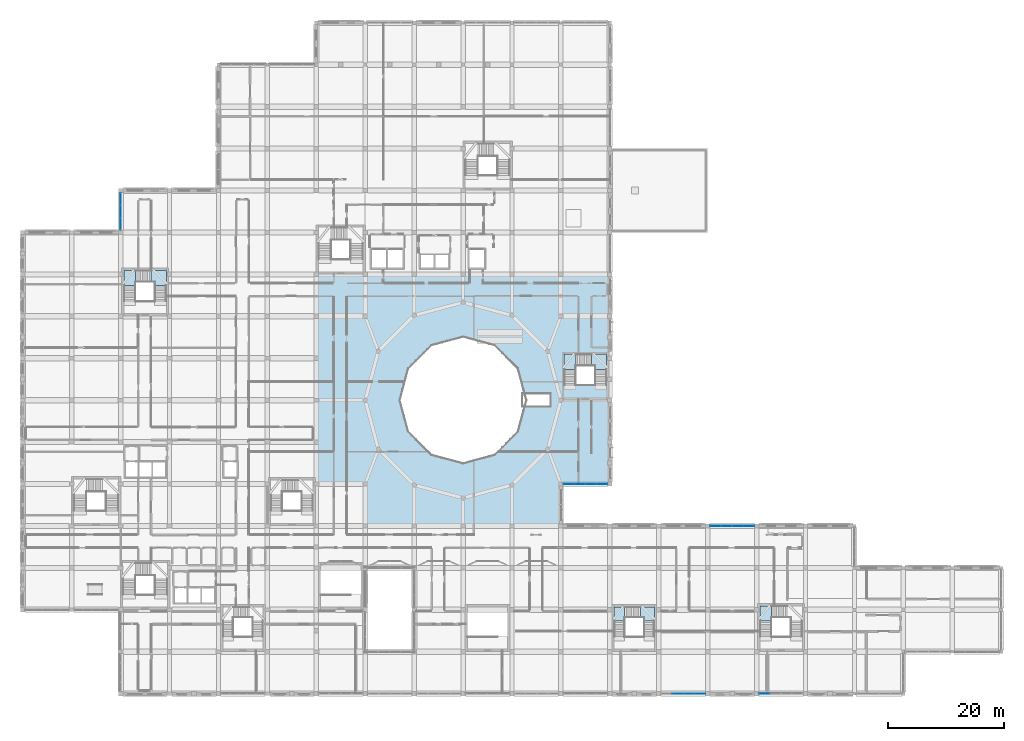
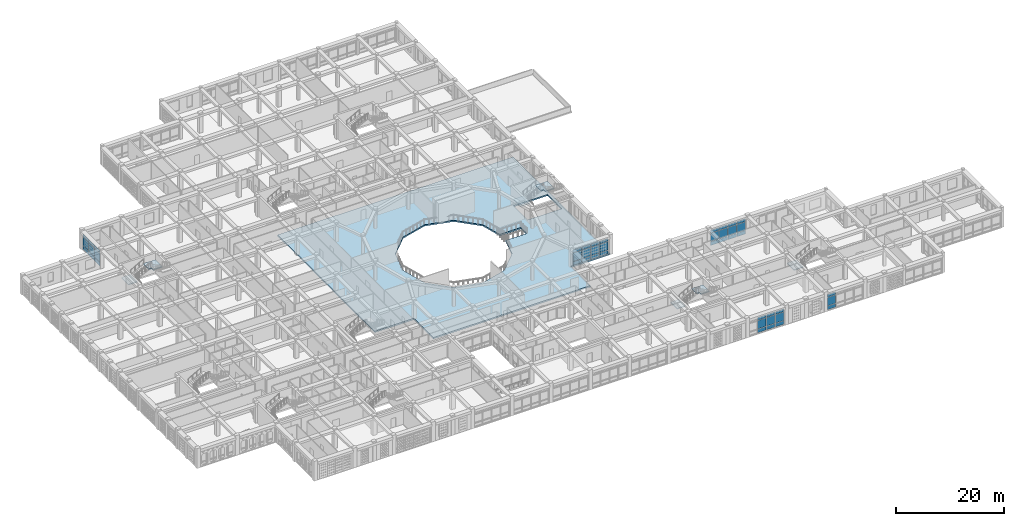
# One storey, part 66 of 121: 45 plates, 8 slabs, 9 elements without a shape of their own.
"""IFC4 building model written with IfcOpenShell, lengths in metres."""

from ifc_helpers import new_model, si_unit, derived_unit, direction, frame, origin, origin_2d, place, context, subcontext, project, spatial, polyline, rectangle, outline, extrude, material, layer, layer_set, type_object, element, aggregate, save


model = new_model("IFC4")

# Units and contexts
model_context = context("Model", 3, precision=1e-05, world=origin(), true_north=direction((0.0, 1.0)))
body_context = subcontext(model_context, "Body", "Model", "MODEL_VIEW")
ifc_project = project(units=[si_unit("LENGTHUNIT", "METRE"), si_unit("AREAUNIT", "SQUARE_METRE"), si_unit("VOLUMEUNIT", "CUBIC_METRE"), si_unit("PLANEANGLEUNIT", "RADIAN"), si_unit("MASSUNIT", "GRAM", prefix="KILO"), derived_unit("THERMALTRANSMITTANCEUNIT", [(si_unit("POWERUNIT", "WATT"), 1), (si_unit("LENGTHUNIT", "METRE"), -2), (si_unit("THERMODYNAMICTEMPERATUREUNIT", "KELVIN"), -1)])], contexts=[model_context])

# Site, building, storey
site_placement = place(None, origin())
site = spatial("IfcSite", under=ifc_project, at=site_placement, CompositionType="ELEMENT")
building_placement = place(site_placement, origin())
building = spatial("IfcBuilding", under=site, at=building_placement, Name="Veybourne Emporium", CompositionType="ELEMENT")
storey_placement = place(building_placement, frame((0.0, 0.0, 5.39990234375)))
storey = spatial("IfcBuildingStorey", under=building, at=storey_placement, Name="L01", CompositionType="ELEMENT", Elevation=5.39990234375)

# Curtain wall, plates
ifc_material_1 = material(Name="Patinated Architectural Bronze", Category="bronze")
curtain_wall_type_1 = type_object("IfcCurtainWallType", Name="CWSystem_CWS-02", PredefinedType="NOTDEFINED", material=ifc_material_1)
curtain_wall_1_placement = place(storey_placement, origin())
curtain_wall_1 = element("IfcCurtainWall", 1, at=curtain_wall_1_placement, inside=storey, type_object=curtain_wall_type_1, Name="L01 bronze glazed curtain wall CWS-02 (018)", PredefinedType="NOTDEFINED")
ifc_material_2 = material(Name="Low-E Triple Glazing", Category="glass")
ifc_layer_1 = layer(ifc_material_2, 0.028076171875)
ifc_layer_set_1 = layer_set([ifc_layer_1], Name="Low-E Triple Glazing")
plate_type = type_object("IfcPlateType", Name="CWPanel_CW-P1", PredefinedType="CURTAIN_PANEL", material=ifc_layer_set_1)
plate_1_placement = place(storey_placement, frame((16.800048828125, 80.668701171875, 0.074951171875), z_axis=(0.0, 0.0, 1.0), x_axis=(0.0, 1.0, 0.0)))
plate_1 = element("IfcPlate", 2, at=plate_1_placement, type_object=plate_type, Name="CWS-02 panel 1.1", PredefinedType="CURTAIN_PANEL", context=body_context, shape_type="SweptSolid", body=[
    extrude(rectangle(XDim=2.03759765625, YDim=0.028076171875, at=origin_2d()), origin(), (0.0, 0.0, 1.0), 0.78759765625),
])
plate_2_placement = place(storey_placement, frame((16.800048828125, 80.668701171875, 0.9375), z_axis=(0.0, 0.0, 1.0), x_axis=(0.0, 1.0, 0.0)))
plate_2 = element("IfcPlate", 3, at=plate_2_placement, type_object=plate_type, Name="CWS-02 panel 1.2", PredefinedType="CURTAIN_PANEL", context=body_context, shape_type="SweptSolid", body=[
    extrude(rectangle(XDim=2.03759765625, YDim=0.028076171875, at=origin_2d()), origin(), (0.0, 0.0, 1.0), 1.905029296875),
])
plate_3_placement = place(storey_placement, frame((16.800048828125, 80.668701171875, 2.91748046875), z_axis=(0.0, 0.0, 1.0), x_axis=(0.0, 1.0, 0.0)))
plate_3 = element("IfcPlate", 4, at=plate_3_placement, type_object=plate_type, Name="CWS-02 panel 1.3", PredefinedType="CURTAIN_PANEL", context=body_context, shape_type="SweptSolid", body=[
    extrude(rectangle(XDim=2.03759765625, YDim=0.028076171875, at=origin_2d()), origin(), (0.0, 0.0, 1.0), 0.637451171875),
])
plate_4_placement = place(storey_placement, frame((16.800048828125, 82.800048828125, 0.074951171875), z_axis=(0.0, 0.0, 1.0), x_axis=(0.0, 1.0, 0.0)))
plate_4 = element("IfcPlate", 5, at=plate_4_placement, type_object=plate_type, Name="CWS-02 panel 2.1", PredefinedType="CURTAIN_PANEL", context=body_context, shape_type="SweptSolid", body=[
    extrude(rectangle(XDim=2.074951171875, YDim=0.028076171875, at=origin_2d()), origin(), (0.0, 0.0, 1.0), 0.78759765625),
])
plate_5_placement = place(storey_placement, frame((16.800048828125, 82.800048828125, 0.9375), z_axis=(0.0, 0.0, 1.0), x_axis=(0.0, 1.0, 0.0)))
plate_5 = element("IfcPlate", 6, at=plate_5_placement, type_object=plate_type, Name="CWS-02 panel 2.2", PredefinedType="CURTAIN_PANEL", context=body_context, shape_type="SweptSolid", body=[
    extrude(rectangle(XDim=2.074951171875, YDim=0.028076171875, at=origin_2d()), origin(), (0.0, 0.0, 1.0), 1.905029296875),
])
plate_6_placement = place(storey_placement, frame((16.800048828125, 82.800048828125, 2.91748046875), z_axis=(0.0, 0.0, 1.0), x_axis=(0.0, 1.0, 0.0)))
plate_6 = element("IfcPlate", 7, at=plate_6_placement, type_object=plate_type, Name="CWS-02 panel 2.3", PredefinedType="CURTAIN_PANEL", context=body_context, shape_type="SweptSolid", body=[
    extrude(rectangle(XDim=2.074951171875, YDim=0.028076171875, at=origin_2d()), origin(), (0.0, 0.0, 1.0), 0.637451171875),
])
plate_7_placement = place(storey_placement, frame((16.800048828125, 84.93115234375, 0.074951171875), z_axis=(0.0, 0.0, 1.0), x_axis=(0.0, 1.0, 0.0)))
plate_7 = element("IfcPlate", 8, at=plate_7_placement, type_object=plate_type, Name="CWS-02 panel 3.1", PredefinedType="CURTAIN_PANEL", context=body_context, shape_type="SweptSolid", body=[
    extrude(rectangle(XDim=2.03759765625, YDim=0.028076171875, at=origin_2d()), origin(), (0.0, 0.0, 1.0), 0.78759765625),
])
plate_8_placement = place(storey_placement, frame((16.800048828125, 84.93115234375, 0.9375), z_axis=(0.0, 0.0, 1.0), x_axis=(0.0, 1.0, 0.0)))
plate_8 = element("IfcPlate", 9, at=plate_8_placement, type_object=plate_type, Name="CWS-02 panel 3.2", PredefinedType="CURTAIN_PANEL", context=body_context, shape_type="SweptSolid", body=[
    extrude(rectangle(XDim=2.03759765625, YDim=0.028076171875, at=origin_2d()), origin(), (0.0, 0.0, 1.0), 1.905029296875),
])
plate_9_placement = place(storey_placement, frame((16.800048828125, 84.93115234375, 2.91748046875), z_axis=(0.0, 0.0, 1.0), x_axis=(0.0, 1.0, 0.0)))
plate_9 = element("IfcPlate", 10, at=plate_9_placement, type_object=plate_type, Name="CWS-02 panel 3.3", PredefinedType="CURTAIN_PANEL", context=body_context, shape_type="SweptSolid", body=[
    extrude(rectangle(XDim=2.03759765625, YDim=0.028076171875, at=origin_2d()), origin(), (0.0, 0.0, 1.0), 0.637451171875),
])
aggregate(curtain_wall_1, [plate_1, plate_2, plate_3, plate_4, plate_5, plate_6, plate_7, plate_8, plate_9])

curtain_wall_type_2 = type_object("IfcCurtainWallType", Name="CWSystem_CWS-20", PredefinedType="NOTDEFINED", material=ifc_material_1)
curtain_wall_2_placement = place(storey_placement, origin())
curtain_wall_2 = element("IfcCurtainWall", 11, at=curtain_wall_2_placement, inside=storey, type_object=curtain_wall_type_2, Name="L01 bronze glazed curtain wall CWS-20 (048)", PredefinedType="NOTDEFINED")
plate_10_placement = place(storey_placement, frame((99.451171875, 36.0, 0.070068359375), z_axis=(0.0, 0.0, 1.0), x_axis=(-1.0, 0.0, 0.0)))
plate_10 = element("IfcPlate", 12, at=plate_10_placement, type_object=plate_type, Name="CWS-20 panel 1.1", PredefinedType="CURTAIN_PANEL", context=body_context, shape_type="SweptSolid", body=[
    extrude(rectangle(XDim=1.8076171875, YDim=0.028076171875, at=origin_2d()), origin(), (0.0, 0.0, 1.0), 0.794921875),
])
plate_11_placement = place(storey_placement, frame((99.451171875, 36.0, 0.93505859375), z_axis=(0.0, 0.0, 1.0), x_axis=(-1.0, 0.0, 0.0)))
plate_11 = element("IfcPlate", 13, at=plate_11_placement, type_object=plate_type, Name="CWS-20 panel 1.2", PredefinedType="CURTAIN_PANEL", context=body_context, shape_type="SweptSolid", body=[
    extrude(rectangle(XDim=1.8076171875, YDim=0.028076171875, at=origin_2d()), origin(), (0.0, 0.0, 1.0), 1.909912109375),
])
plate_12_placement = place(storey_placement, frame((99.451171875, 36.0, 2.9150390625), z_axis=(0.0, 0.0, 1.0), x_axis=(-1.0, 0.0, 0.0)))
plate_12 = element("IfcPlate", 14, at=plate_12_placement, type_object=plate_type, Name="CWS-20 panel 1.3", PredefinedType="CURTAIN_PANEL", context=body_context, shape_type="SweptSolid", body=[
    extrude(rectangle(XDim=1.8076171875, YDim=0.028076171875, at=origin_2d()), origin(), (0.0, 0.0, 1.0), 0.64501953125),
])
plate_13_placement = place(storey_placement, frame((97.55615234375, 36.0, 0.070068359375), z_axis=(0.0, 0.0, 1.0), x_axis=(-1.0, 0.0, 0.0)))
plate_13 = element("IfcPlate", 15, at=plate_13_placement, type_object=plate_type, Name="CWS-20 panel 2.1", PredefinedType="CURTAIN_PANEL", context=body_context, shape_type="SweptSolid", body=[
    extrude(rectangle(XDim=1.842529296875, YDim=0.028076171875, at=origin_2d()), origin(), (0.0, 0.0, 1.0), 0.794921875),
])
plate_14_placement = place(storey_placement, frame((97.55615234375, 36.0, 0.93505859375), z_axis=(0.0, 0.0, 1.0), x_axis=(-1.0, 0.0, 0.0)))
plate_14 = element("IfcPlate", 16, at=plate_14_placement, type_object=plate_type, Name="CWS-20 panel 2.2", PredefinedType="CURTAIN_PANEL", context=body_context, shape_type="SweptSolid", body=[
    extrude(rectangle(XDim=1.842529296875, YDim=0.028076171875, at=origin_2d()), origin(), (0.0, 0.0, 1.0), 1.909912109375),
])
plate_15_placement = place(storey_placement, frame((97.55615234375, 36.0, 2.9150390625), z_axis=(0.0, 0.0, 1.0), x_axis=(-1.0, 0.0, 0.0)))
plate_15 = element("IfcPlate", 17, at=plate_15_placement, type_object=plate_type, Name="CWS-20 panel 2.3", PredefinedType="CURTAIN_PANEL", context=body_context, shape_type="SweptSolid", body=[
    extrude(rectangle(XDim=1.842529296875, YDim=0.028076171875, at=origin_2d()), origin(), (0.0, 0.0, 1.0), 0.64501953125),
])
plate_16_placement = place(storey_placement, frame((95.643798828125, 36.0, 0.070068359375), z_axis=(0.0, 0.0, 1.0), x_axis=(-1.0, 0.0, 0.0)))
plate_16 = element("IfcPlate", 18, at=plate_16_placement, type_object=plate_type, Name="CWS-20 panel 3.1", PredefinedType="CURTAIN_PANEL", context=body_context, shape_type="SweptSolid", body=[
    extrude(rectangle(XDim=1.842529296875, YDim=0.028076171875, at=origin_2d()), origin(), (0.0, 0.0, 1.0), 0.794921875),
])
plate_17_placement = place(storey_placement, frame((95.643798828125, 36.0, 0.93505859375), z_axis=(0.0, 0.0, 1.0), x_axis=(-1.0, 0.0, 0.0)))
plate_17 = element("IfcPlate", 19, at=plate_17_placement, type_object=plate_type, Name="CWS-20 panel 3.2", PredefinedType="CURTAIN_PANEL", context=body_context, shape_type="SweptSolid", body=[
    extrude(rectangle(XDim=1.842529296875, YDim=0.028076171875, at=origin_2d()), origin(), (0.0, 0.0, 1.0), 1.909912109375),
])
plate_18_placement = place(storey_placement, frame((95.643798828125, 36.0, 2.9150390625), z_axis=(0.0, 0.0, 1.0), x_axis=(-1.0, 0.0, 0.0)))
plate_18 = element("IfcPlate", 20, at=plate_18_placement, type_object=plate_type, Name="CWS-20 panel 3.3", PredefinedType="CURTAIN_PANEL", context=body_context, shape_type="SweptSolid", body=[
    extrude(rectangle(XDim=1.842529296875, YDim=0.028076171875, at=origin_2d()), origin(), (0.0, 0.0, 1.0), 0.64501953125),
])
plate_19_placement = place(storey_placement, frame((93.748779296875, 36.0, 0.070068359375), z_axis=(0.0, 0.0, 1.0), x_axis=(-1.0, 0.0, 0.0)))
plate_19 = element("IfcPlate", 21, at=plate_19_placement, type_object=plate_type, Name="CWS-20 panel 4.1", PredefinedType="CURTAIN_PANEL", context=body_context, shape_type="SweptSolid", body=[
    extrude(rectangle(XDim=1.8076171875, YDim=0.028076171875, at=origin_2d()), origin(), (0.0, 0.0, 1.0), 0.794921875),
])
plate_20_placement = place(storey_placement, frame((93.748779296875, 36.0, 0.93505859375), z_axis=(0.0, 0.0, 1.0), x_axis=(-1.0, 0.0, 0.0)))
plate_20 = element("IfcPlate", 22, at=plate_20_placement, type_object=plate_type, Name="CWS-20 panel 4.2", PredefinedType="CURTAIN_PANEL", context=body_context, shape_type="SweptSolid", body=[
    extrude(rectangle(XDim=1.8076171875, YDim=0.028076171875, at=origin_2d()), origin(), (0.0, 0.0, 1.0), 1.909912109375),
])
plate_21_placement = place(storey_placement, frame((93.748779296875, 36.0, 2.9150390625), z_axis=(0.0, 0.0, 1.0), x_axis=(-1.0, 0.0, 0.0)))
plate_21 = element("IfcPlate", 23, at=plate_21_placement, type_object=plate_type, Name="CWS-20 panel 4.3", PredefinedType="CURTAIN_PANEL", context=body_context, shape_type="SweptSolid", body=[
    extrude(rectangle(XDim=1.8076171875, YDim=0.028076171875, at=origin_2d()), origin(), (0.0, 0.0, 1.0), 0.64501953125),
])
aggregate(curtain_wall_2, [plate_10, plate_11, plate_12, plate_13, plate_14, plate_15, plate_16, plate_17, plate_18, plate_19, plate_20, plate_21])

curtain_wall_type_3 = type_object("IfcCurtainWallType", Name="CWSystem_CWS-24", PredefinedType="NOTDEFINED", material=ifc_material_1)
curtain_wall_3_placement = place(storey_placement, origin())
curtain_wall_3 = element("IfcCurtainWall", 24, at=curtain_wall_3_placement, inside=storey, type_object=curtain_wall_type_3, Name="L01 bronze glazed curtain wall CWS-24 (063)", PredefinedType="NOTDEFINED")
plate_22_placement = place(storey_placement, frame((116.251220703125, 0.0, 0.070068359375), z_axis=(0.0, 0.0, 1.0), x_axis=(-1.0, 0.0, 0.0)))
plate_22 = element("IfcPlate", 25, at=plate_22_placement, type_object=plate_type, Name="CWS-24 panel 1.1", PredefinedType="CURTAIN_PANEL", context=body_context, shape_type="SweptSolid", body=[
    extrude(rectangle(XDim=1.8076171875, YDim=0.028076171875, at=origin_2d()), origin(), (0.0, 0.0, 1.0), 0.794921875),
])
plate_23_placement = place(storey_placement, frame((116.251220703125, 0.0, 0.93505859375), z_axis=(0.0, 0.0, 1.0), x_axis=(-1.0, 0.0, 0.0)))
plate_23 = element("IfcPlate", 26, at=plate_23_placement, type_object=plate_type, Name="CWS-24 panel 1.2", PredefinedType="CURTAIN_PANEL", context=body_context, shape_type="SweptSolid", body=[
    extrude(rectangle(XDim=1.8076171875, YDim=0.028076171875, at=origin_2d()), origin(), (0.0, 0.0, 1.0), 1.909912109375),
])
plate_24_placement = place(storey_placement, frame((116.251220703125, 0.0, 2.9150390625), z_axis=(0.0, 0.0, 1.0), x_axis=(-1.0, 0.0, 0.0)))
plate_24 = element("IfcPlate", 27, at=plate_24_placement, type_object=plate_type, Name="CWS-24 panel 1.3", PredefinedType="CURTAIN_PANEL", context=body_context, shape_type="SweptSolid", body=[
    extrude(rectangle(XDim=1.8076171875, YDim=0.028076171875, at=origin_2d()), origin(), (0.0, 0.0, 1.0), 0.64501953125),
])
plate_25_placement = place(storey_placement, frame((114.356201171875, 0.0, 0.070068359375), z_axis=(0.0, 0.0, 1.0), x_axis=(-1.0, 0.0, 0.0)))
plate_25 = element("IfcPlate", 28, at=plate_25_placement, type_object=plate_type, Name="CWS-24 panel 2.1", PredefinedType="CURTAIN_PANEL", context=body_context, shape_type="SweptSolid", body=[
    extrude(rectangle(XDim=1.842529296875, YDim=0.028076171875, at=origin_2d()), origin(), (0.0, 0.0, 1.0), 0.794921875),
])
plate_26_placement = place(storey_placement, frame((114.356201171875, 0.0, 0.93505859375), z_axis=(0.0, 0.0, 1.0), x_axis=(-1.0, 0.0, 0.0)))
plate_26 = element("IfcPlate", 29, at=plate_26_placement, type_object=plate_type, Name="CWS-24 panel 2.2", PredefinedType="CURTAIN_PANEL", context=body_context, shape_type="SweptSolid", body=[
    extrude(rectangle(XDim=1.842529296875, YDim=0.028076171875, at=origin_2d()), origin(), (0.0, 0.0, 1.0), 1.909912109375),
])
plate_27_placement = place(storey_placement, frame((114.356201171875, 0.0, 2.9150390625), z_axis=(0.0, 0.0, 1.0), x_axis=(-1.0, 0.0, 0.0)))
plate_27 = element("IfcPlate", 30, at=plate_27_placement, type_object=plate_type, Name="CWS-24 panel 2.3", PredefinedType="CURTAIN_PANEL", context=body_context, shape_type="SweptSolid", body=[
    extrude(rectangle(XDim=1.842529296875, YDim=0.028076171875, at=origin_2d()), origin(), (0.0, 0.0, 1.0), 0.64501953125),
])
plate_28_placement = place(storey_placement, frame((112.44384765625, 0.0, 0.070068359375), z_axis=(0.0, 0.0, 1.0), x_axis=(-1.0, 0.0, 0.0)))
plate_28 = element("IfcPlate", 31, at=plate_28_placement, type_object=plate_type, Name="CWS-24 panel 3.1", PredefinedType="CURTAIN_PANEL", context=body_context, shape_type="SweptSolid", body=[
    extrude(rectangle(XDim=1.842529296875, YDim=0.028076171875, at=origin_2d()), origin(), (0.0, 0.0, 1.0), 0.794921875),
])
plate_29_placement = place(storey_placement, frame((112.44384765625, 0.0, 0.93505859375), z_axis=(0.0, 0.0, 1.0), x_axis=(-1.0, 0.0, 0.0)))
plate_29 = element("IfcPlate", 32, at=plate_29_placement, type_object=plate_type, Name="CWS-24 panel 3.2", PredefinedType="CURTAIN_PANEL", context=body_context, shape_type="SweptSolid", body=[
    extrude(rectangle(XDim=1.842529296875, YDim=0.028076171875, at=origin_2d()), origin(), (0.0, 0.0, 1.0), 1.909912109375),
])
plate_30_placement = place(storey_placement, frame((112.44384765625, 0.0, 2.9150390625), z_axis=(0.0, 0.0, 1.0), x_axis=(-1.0, 0.0, 0.0)))
plate_30 = element("IfcPlate", 33, at=plate_30_placement, type_object=plate_type, Name="CWS-24 panel 3.3", PredefinedType="CURTAIN_PANEL", context=body_context, shape_type="SweptSolid", body=[
    extrude(rectangle(XDim=1.842529296875, YDim=0.028076171875, at=origin_2d()), origin(), (0.0, 0.0, 1.0), 0.64501953125),
])
aggregate(curtain_wall_3, [plate_22, plate_23, plate_24, plate_25, plate_26, plate_27, plate_28, plate_29, plate_30])

curtain_wall_type_4 = type_object("IfcCurtainWallType", Name="CWSystem_CWS-25", PredefinedType="NOTDEFINED", material=ifc_material_1)
curtain_wall_4_placement = place(storey_placement, origin())
curtain_wall_4 = element("IfcCurtainWall", 34, at=curtain_wall_4_placement, inside=storey, type_object=curtain_wall_type_4, Name="L01 bronze glazed curtain wall CWS-25 (066)", PredefinedType="NOTDEFINED")
plate_31_placement = place(storey_placement, frame((118.94921875, 28.800048828125, 0.072021484375), z_axis=(0.0, 0.0, 1.0), x_axis=(1.0, 0.0, 0.0)))
plate_31 = element("IfcPlate", 35, at=plate_31_placement, type_object=plate_type, Name="CWS-25 panel 1.1", PredefinedType="CURTAIN_PANEL", context=body_context, shape_type="SweptSolid", body=[
    extrude(rectangle(XDim=1.804443359375, YDim=0.028076171875, at=origin_2d()), origin(), (0.0, 0.0, 1.0), 0.7919921875),
])
plate_32_placement = place(storey_placement, frame((118.94921875, 28.800048828125, 0.93603515625), z_axis=(0.0, 0.0, 1.0), x_axis=(1.0, 0.0, 0.0)))
plate_32 = element("IfcPlate", 36, at=plate_32_placement, type_object=plate_type, Name="CWS-25 panel 1.2", PredefinedType="CURTAIN_PANEL", context=body_context, shape_type="SweptSolid", body=[
    extrude(rectangle(XDim=1.804443359375, YDim=0.028076171875, at=origin_2d()), origin(), (0.0, 0.0, 1.0), 1.907958984375),
])
plate_33_placement = place(storey_placement, frame((118.94921875, 28.800048828125, 2.916015625), z_axis=(0.0, 0.0, 1.0), x_axis=(1.0, 0.0, 0.0)))
plate_33 = element("IfcPlate", 37, at=plate_33_placement, type_object=plate_type, Name="CWS-25 panel 1.3", PredefinedType="CURTAIN_PANEL", context=body_context, shape_type="SweptSolid", body=[
    extrude(rectangle(XDim=1.804443359375, YDim=0.028076171875, at=origin_2d()), origin(), (0.0, 0.0, 1.0), 0.64208984375),
])
plate_34_placement = place(storey_placement, frame((120.84375, 28.800048828125, 0.072021484375), z_axis=(0.0, 0.0, 1.0), x_axis=(1.0, 0.0, 0.0)))
plate_34 = element("IfcPlate", 38, at=plate_34_placement, type_object=plate_type, Name="CWS-25 panel 2.1", PredefinedType="CURTAIN_PANEL", context=body_context, shape_type="SweptSolid", body=[
    extrude(rectangle(XDim=1.840576171875, YDim=0.028076171875, at=origin_2d()), origin(), (0.0, 0.0, 1.0), 0.7919921875),
])
plate_35_placement = place(storey_placement, frame((120.84375, 28.800048828125, 0.93603515625), z_axis=(0.0, 0.0, 1.0), x_axis=(1.0, 0.0, 0.0)))
plate_35 = element("IfcPlate", 39, at=plate_35_placement, type_object=plate_type, Name="CWS-25 panel 2.2", PredefinedType="CURTAIN_PANEL", context=body_context, shape_type="SweptSolid", body=[
    extrude(rectangle(XDim=1.840576171875, YDim=0.028076171875, at=origin_2d()), origin(), (0.0, 0.0, 1.0), 1.907958984375),
])
plate_36_placement = place(storey_placement, frame((120.84375, 28.800048828125, 2.916015625), z_axis=(0.0, 0.0, 1.0), x_axis=(1.0, 0.0, 0.0)))
plate_36 = element("IfcPlate", 40, at=plate_36_placement, type_object=plate_type, Name="CWS-25 panel 2.3", PredefinedType="CURTAIN_PANEL", context=body_context, shape_type="SweptSolid", body=[
    extrude(rectangle(XDim=1.840576171875, YDim=0.028076171875, at=origin_2d()), origin(), (0.0, 0.0, 1.0), 0.64208984375),
])
plate_37_placement = place(storey_placement, frame((122.75634765625, 28.800048828125, 0.072021484375), z_axis=(0.0, 0.0, 1.0), x_axis=(1.0, 0.0, 0.0)))
plate_37 = element("IfcPlate", 41, at=plate_37_placement, type_object=plate_type, Name="CWS-25 panel 3.1", PredefinedType="CURTAIN_PANEL", context=body_context, shape_type="SweptSolid", body=[
    extrude(rectangle(XDim=1.840576171875, YDim=0.028076171875, at=origin_2d()), origin(), (0.0, 0.0, 1.0), 0.7919921875),
])
plate_38_placement = place(storey_placement, frame((122.75634765625, 28.800048828125, 0.93603515625), z_axis=(0.0, 0.0, 1.0), x_axis=(1.0, 0.0, 0.0)))
plate_38 = element("IfcPlate", 42, at=plate_38_placement, type_object=plate_type, Name="CWS-25 panel 3.2", PredefinedType="CURTAIN_PANEL", context=body_context, shape_type="SweptSolid", body=[
    extrude(rectangle(XDim=1.840576171875, YDim=0.028076171875, at=origin_2d()), origin(), (0.0, 0.0, 1.0), 1.907958984375),
])
plate_39_placement = place(storey_placement, frame((122.75634765625, 28.800048828125, 2.916015625), z_axis=(0.0, 0.0, 1.0), x_axis=(1.0, 0.0, 0.0)))
plate_39 = element("IfcPlate", 43, at=plate_39_placement, type_object=plate_type, Name="CWS-25 panel 3.3", PredefinedType="CURTAIN_PANEL", context=body_context, shape_type="SweptSolid", body=[
    extrude(rectangle(XDim=1.840576171875, YDim=0.028076171875, at=origin_2d()), origin(), (0.0, 0.0, 1.0), 0.64208984375),
])
plate_40_placement = place(storey_placement, frame((124.650634765625, 28.800048828125, 0.072021484375), z_axis=(0.0, 0.0, 1.0), x_axis=(1.0, 0.0, 0.0)))
plate_40 = element("IfcPlate", 44, at=plate_40_placement, type_object=plate_type, Name="CWS-25 panel 4.1", PredefinedType="CURTAIN_PANEL", context=body_context, shape_type="SweptSolid", body=[
    extrude(rectangle(XDim=1.804443359375, YDim=0.028076171875, at=origin_2d()), origin(), (0.0, 0.0, 1.0), 0.7919921875),
])
plate_41_placement = place(storey_placement, frame((124.650634765625, 28.800048828125, 0.93603515625), z_axis=(0.0, 0.0, 1.0), x_axis=(1.0, 0.0, 0.0)))
plate_41 = element("IfcPlate", 45, at=plate_41_placement, type_object=plate_type, Name="CWS-25 panel 4.2", PredefinedType="CURTAIN_PANEL", context=body_context, shape_type="SweptSolid", body=[
    extrude(rectangle(XDim=1.804443359375, YDim=0.028076171875, at=origin_2d()), origin(), (0.0, 0.0, 1.0), 1.907958984375),
])
plate_42_placement = place(storey_placement, frame((124.650634765625, 28.800048828125, 2.916015625), z_axis=(0.0, 0.0, 1.0), x_axis=(1.0, 0.0, 0.0)))
plate_42 = element("IfcPlate", 46, at=plate_42_placement, type_object=plate_type, Name="CWS-25 panel 4.3", PredefinedType="CURTAIN_PANEL", context=body_context, shape_type="SweptSolid", body=[
    extrude(rectangle(XDim=1.804443359375, YDim=0.028076171875, at=origin_2d()), origin(), (0.0, 0.0, 1.0), 0.64208984375),
])
aggregate(curtain_wall_4, [plate_31, plate_32, plate_33, plate_34, plate_35, plate_36, plate_37, plate_38, plate_39, plate_40, plate_41, plate_42])

curtain_wall_type_5 = type_object("IfcCurtainWallType", Name="CWSystem_CWS-26", PredefinedType="NOTDEFINED", material=ifc_material_1)
curtain_wall_5_placement = place(storey_placement, origin())
curtain_wall_5 = element("IfcCurtainWall", 47, at=curtain_wall_5_placement, inside=storey, type_object=curtain_wall_type_5, Name="L01 bronze glazed curtain wall CWS-26 (067)", PredefinedType="NOTDEFINED")
plate_43_placement = place(storey_placement, frame((127.35009765625, 0.0, 0.074951171875), z_axis=(0.0, 0.0, 1.0), x_axis=(-1.0, 0.0, 0.0)))
plate_43 = element("IfcPlate", 48, at=plate_43_placement, type_object=plate_type, Name="CWS-26 panel 4.1", PredefinedType="CURTAIN_PANEL", context=body_context, shape_type="SweptSolid", body=[
    extrude(rectangle(XDim=1.800048828125, YDim=0.028076171875, at=origin_2d()), origin(), (0.0, 0.0, 1.0), 0.78759765625),
])
plate_44_placement = place(storey_placement, frame((127.35009765625, 0.0, 0.9375), z_axis=(0.0, 0.0, 1.0), x_axis=(-1.0, 0.0, 0.0)))
plate_44 = element("IfcPlate", 49, at=plate_44_placement, type_object=plate_type, Name="CWS-26 panel 4.2", PredefinedType="CURTAIN_PANEL", context=body_context, shape_type="SweptSolid", body=[
    extrude(rectangle(XDim=1.800048828125, YDim=0.028076171875, at=origin_2d()), origin(), (0.0, 0.0, 1.0), 1.905029296875),
])
plate_45_placement = place(storey_placement, frame((127.35009765625, 0.0, 2.91748046875), z_axis=(0.0, 0.0, 1.0), x_axis=(-1.0, 0.0, 0.0)))
plate_45 = element("IfcPlate", 50, at=plate_45_placement, type_object=plate_type, Name="CWS-26 panel 4.3", PredefinedType="CURTAIN_PANEL", context=body_context, shape_type="SweptSolid", body=[
    extrude(rectangle(XDim=1.800048828125, YDim=0.028076171875, at=origin_2d()), origin(), (0.0, 0.0, 1.0), 0.637451171875),
])
aggregate(curtain_wall_5, [plate_43, plate_44, plate_45])

# Stair, slab
ifc_material_3 = material(Name="Concrete C32/40", Category="concrete")
stair_type_1 = type_object("IfcStairType", Name="Stair_ST-06-R30", PredefinedType="TWO_QUARTER_TURN_STAIR", material=ifc_material_3)
stair_1_placement = place(storey_placement, origin())
stair_1 = element("IfcStair", 51, at=stair_1_placement, inside=storey, type_object=stair_type_1, Name="L01 stair ST-06", PredefinedType="TWO_QUARTER_TURN_STAIR")
ifc_layer_2 = layer(ifc_material_3, 0.199951171875)
ifc_layer_set_2 = layer_set([ifc_layer_2], Name="Concrete C32/40")
slab_type_1 = type_object("IfcSlabType", Name="Landing_LDG-01", PredefinedType="LANDING", material=ifc_layer_set_2)
slab_1_placement = place(storey_placement, frame((0.0, 0.0, 1.300048828125)))
slab_1 = element("IfcSlab", 52, at=slab_1_placement, type_object=slab_type_1, Name="ST-06-R30 landing 1", PredefinedType="LANDING", context=body_context, shape_type="SweptSolid", body=[
    extrude(outline(polyline([(126.550048828125, 12.5), (128.550048828125, 12.5), (128.550048828125, 15.10009765625), (126.550048828125, 15.10009765625), (126.550048828125, 12.5)])), origin(), (0.0, 0.0, 1.0), 0.199951171875),
])
aggregate(stair_1, [slab_1])

# Stair, slabs
stair_type_2 = type_object("IfcStairType", Name="Stair_ST-07-R30", PredefinedType="TWO_QUARTER_TURN_STAIR", material=ifc_material_3)
stair_2_placement = place(storey_placement, origin())
stair_2 = element("IfcStair", 53, at=stair_2_placement, inside=storey, type_object=stair_type_2, Name="L01 stair ST-07", PredefinedType="TWO_QUARTER_TURN_STAIR")
slab_2_placement = place(storey_placement, frame((0.0, 0.0, 1.300048828125)))
slab_2 = element("IfcSlab", 54, at=slab_2_placement, type_object=slab_type_1, Name="ST-07-R30 landing 1", PredefinedType="LANDING", context=body_context, shape_type="SweptSolid", body=[
    extrude(outline(polyline([(92.949951171875, 55.699951171875), (94.949951171875, 55.699951171875), (94.949951171875, 58.300048828125), (92.949951171875, 58.300048828125), (92.949951171875, 55.699951171875)])), origin(), (0.0, 0.0, 1.0), 0.199951171875),
])
slab_3_placement = place(storey_placement, frame((0.0, 0.0, 2.800048828125)))
slab_3 = element("IfcSlab", 55, at=slab_3_placement, type_object=slab_type_1, Name="ST-07-R30 landing 2", PredefinedType="LANDING", context=body_context, shape_type="SweptSolid", body=[
    extrude(outline(polyline([(97.64990234375, 56.300048828125), (98.25, 56.300048828125), (98.25, 55.699951171875), (100.25, 55.699951171875), (100.25, 58.300048828125), (97.64990234375, 58.300048828125), (97.64990234375, 56.300048828125)])), origin(), (0.0, 0.0, 1.0), 0.199951171875),
])
aggregate(stair_2, [slab_2, slab_3])

stair_type_3 = type_object("IfcStairType", Name="Stair_ST-08-R30", PredefinedType="TWO_QUARTER_TURN_STAIR", material=ifc_material_3)
stair_3_placement = place(storey_placement, origin())
stair_3 = element("IfcStair", 56, at=stair_3_placement, inside=storey, type_object=stair_type_3, Name="L01 stair ST-08", PredefinedType="TWO_QUARTER_TURN_STAIR")
slab_4_placement = place(storey_placement, frame((0.0, 0.0, 1.300048828125)))
slab_4 = element("IfcSlab", 57, at=slab_4_placement, type_object=slab_type_1, Name="ST-08-R30 landing 1", PredefinedType="LANDING", context=body_context, shape_type="SweptSolid", body=[
    extrude(outline(polyline([(17.35009765625, 70.10009765625), (19.35009765625, 70.10009765625), (19.35009765625, 72.699951171875), (17.35009765625, 72.699951171875), (17.35009765625, 70.10009765625)])), origin(), (0.0, 0.0, 1.0), 0.199951171875),
])
slab_5_placement = place(storey_placement, frame((0.0, 0.0, 2.800048828125)))
slab_5 = element("IfcSlab", 58, at=slab_5_placement, type_object=slab_type_1, Name="ST-08-R30 landing 2", PredefinedType="LANDING", context=body_context, shape_type="SweptSolid", body=[
    extrude(outline(polyline([(22.050048828125, 70.699951171875), (22.64990234375, 70.699951171875), (22.64990234375, 70.10009765625), (24.64990234375, 70.10009765625), (24.64990234375, 72.699951171875), (22.050048828125, 72.699951171875), (22.050048828125, 70.699951171875)])), origin(), (0.0, 0.0, 1.0), 0.199951171875),
])
aggregate(stair_3, [slab_4, slab_5])

stair_type_4 = type_object("IfcStairType", Name="Stair_ST-11-R30", PredefinedType="HALF_TURN_STAIR", material=ifc_material_3)
stair_4_placement = place(storey_placement, origin())
stair_4 = element("IfcStair", 59, at=stair_4_placement, inside=storey, type_object=stair_type_4, Name="L01 stair ST-11", PredefinedType="HALF_TURN_STAIR")
ifc_layer_3 = layer(ifc_material_3, 0.179931640625)
ifc_layer_set_3 = layer_set([ifc_layer_3], Name="Concrete C32/40")
slab_type_2 = type_object("IfcSlabType", Name="Landing_LDG-02", PredefinedType="LANDING", material=ifc_layer_set_3)
slab_6_placement = place(storey_placement, frame((0.0, 0.0, 1.320068359375)))
slab_6 = element("IfcSlab", 60, at=slab_6_placement, type_object=slab_type_2, Name="ST-11-R30 landing 1", PredefinedType="LANDING", context=body_context, shape_type="SweptSolid", body=[
    extrude(outline(polyline([(101.550048828125, 12.5), (103.35009765625, 12.5), (103.35009765625, 14.89990234375), (101.550048828125, 14.89990234375), (101.550048828125, 12.5)])), origin(), (0.0, 0.0, 1.0), 0.179931640625),
])
slab_7_placement = place(storey_placement, frame((0.0, 0.0, 2.820068359375)))
slab_7 = element("IfcSlab", 61, at=slab_7_placement, type_object=slab_type_2, Name="ST-11-R30 landing 2", PredefinedType="LANDING", context=body_context, shape_type="SweptSolid", body=[
    extrude(outline(polyline([(106.050048828125, 13.10009765625), (106.64990234375, 13.10009765625), (106.64990234375, 12.5), (108.449951171875, 12.5), (108.449951171875, 14.89990234375), (106.050048828125, 14.89990234375), (106.050048828125, 13.10009765625)])), origin(), (0.0, 0.0, 1.0), 0.179931640625),
])
aggregate(stair_4, [slab_6, slab_7])

# Slab
ifc_layer_4 = layer(ifc_material_3, 0.320068359375)
ifc_layer_set_4 = layer_set([ifc_layer_4], Name="Concrete C32/40")
slab_type_3 = type_object("IfcSlabType", Name="Slab_FS-02", PredefinedType="FLOOR", material=ifc_layer_set_4)
slab_8_placement = place(storey_placement, frame((0.0, 0.0, -0.31982421875)))
element("IfcSlab", 62, at=slab_8_placement, inside=storey, type_object=slab_type_3, Name="L01 floor slab FS-02 (V2.1)", PredefinedType="FLOOR", context=body_context, shape_type="SweptSolid", body=[
    extrude(outline(polyline([(50.39990234375, 36.0), (50.39990234375, 43.199951171875), (50.39990234375, 50.39990234375), (50.39990234375, 57.60009765625), (50.39990234375, 64.800048828125), (50.39990234375, 72.0), (58.800048828125, 72.0), (67.199951171875, 72.0), (75.60009765625, 72.0), (84.0, 72.0), (92.39990234375, 72.0), (100.800048828125, 72.0), (100.800048828125, 64.800048828125), (100.800048828125, 57.60009765625), (100.800048828125, 50.39990234375), (100.800048828125, 43.199951171875), (100.800048828125, 36.0), (92.39990234375, 36.0), (92.39990234375, 28.800048828125), (84.0, 28.800048828125), (75.60009765625, 28.800048828125), (67.199951171875, 28.800048828125), (58.800048828125, 28.800048828125), (58.800048828125, 36.0), (50.39990234375, 36.0)]), holes=[polyline([(86.105224609375, 49.300048828125), (90.60009765625, 49.300048828125), (90.60009765625, 51.5), (86.105224609375, 51.5), (84.953125, 55.800048828125), (81.0, 59.753173828125), (75.60009765625, 61.199951171875), (70.199951171875, 59.753173828125), (66.246826171875, 55.800048828125), (64.800048828125, 50.39990234375), (66.246826171875, 45.0), (70.199951171875, 41.046875), (75.60009765625, 39.60009765625), (81.0, 41.046875), (84.953125, 45.0), (86.105224609375, 49.300048828125)]), polyline([(92.949951171875, 53.0), (100.25, 53.0), (100.25, 58.300048828125), (92.949951171875, 58.300048828125), (92.949951171875, 53.0)])]), origin(), (0.0, 0.0, 1.0), 0.31982421875),
])

save(model, "model.ifc")
